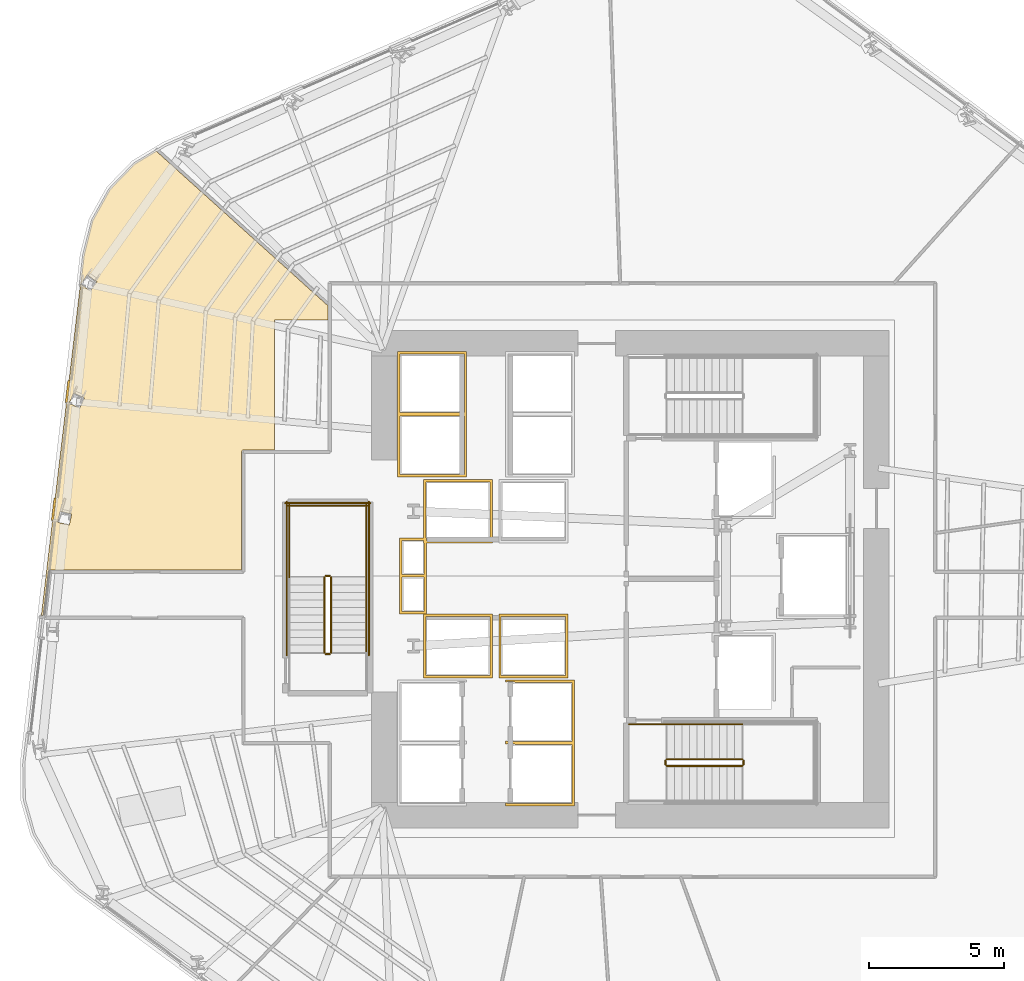
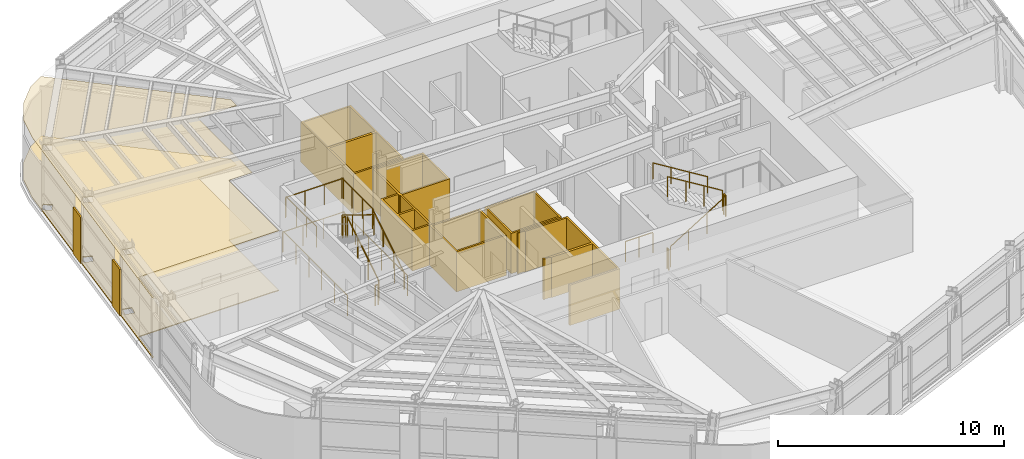
# One storey, part 12 of 16: 17 railings, 9 coverings.
"""IFC4 building model written with IfcOpenShell, lengths in metres."""

from ifc_helpers import new_model, si_unit, direction, frame, origin, origin_2d, place, context, subcontext, project, spatial, polyline, circle, outline, extrude, material, layer, layer_set, type_object, element, save


model = new_model("IFC4")

# Units and contexts
model_context = context("Model", 3, precision=1e-05, world=origin(), true_north=direction((0.0, 1.0)))
body_context = subcontext(model_context, "Body", "Model", "MODEL_VIEW")
ifc_project = project(units=[si_unit("LENGTHUNIT", "METRE"), si_unit("AREAUNIT", "SQUARE_METRE"), si_unit("VOLUMEUNIT", "CUBIC_METRE"), si_unit("PLANEANGLEUNIT", "RADIAN"), si_unit("MASSUNIT", "GRAM", prefix="KILO")], contexts=[model_context])

# Site, building, storey
site_placement = place(None, origin())
site = spatial("IfcSite", under=ifc_project, at=site_placement, CompositionType="ELEMENT")
building_placement = place(site_placement, origin())
building = spatial("IfcBuilding", under=site, at=building_placement, Name="Valkerne Bourse Tower", CompositionType="ELEMENT")
storey_placement = place(building_placement, frame((0.0, 0.0, 123.800048828125)))
storey = spatial("IfcBuildingStorey", under=building, at=storey_placement, Name="L31", CompositionType="ELEMENT", Elevation=123.800048828125)

# Coverings
ifc_material_1 = material(Name="Mineral Fiber Acoustic Ceiling Tile", Category="acoustic")
ifc_layer_1 = layer(ifc_material_1, 0.02490234375)
ifc_layer_set_1 = layer_set([ifc_layer_1], Name="Mineral Fiber Acoustic Ceiling Tile")
covering_type_1 = type_object("IfcCoveringType", Name="COV-CEIL-ACT", PredefinedType="CEILING", material=ifc_layer_set_1)
covering_1_placement = place(storey_placement, frame((0.0, 0.0, 3.22998046875)))
element("IfcCovering", 1, at=covering_1_placement, inside=storey, type_object=covering_type_1, Name="L31 Suspended Ceiling 07", PredefinedType="CEILING", context=body_context, shape_type="SweptSolid", body=[
    extrude(outline(polyline([(27.491943359375, 41.33935546875), (28.410400390625, 42.287109375), (29.205322265625, 42.7626953125), (35.5810546875, 37.022216796875), (35.5810546875, 36.5), (33.60009765625, 36.5), (33.60009765625, 31.6689453125), (32.449462890625, 31.6689453125), (32.419921875, 31.662109375), (32.39404296875, 31.640625), (32.381103515625, 31.6005859375), (32.381103515625, 27.218994140625), (25.2626953125, 27.21728515625), (25.227783203125, 27.196533203125), (25.210693359375, 27.161376953125), (25.01904296875, 25.5361328125), (24.951171875, 25.53125), (26.5263671875, 38.897216796875), (26.85009765625, 40.186279296875), (27.491943359375, 41.33935546875)]), holes=[polyline([(26.078125, 29.295654296875), (26.07861328125, 29.298583984375), (25.656982421875, 29.393798828125), (25.565185546875, 28.98876953125), (25.564697265625, 28.985595703125), (25.986328125, 28.890380859375), (26.078125, 29.295654296875)]), polyline([(26.55029296875, 33.603515625), (26.156982421875, 33.782470703125), (25.984619140625, 33.404541015625), (25.983642578125, 33.401611328125), (26.376953125, 33.22265625), (26.54931640625, 33.600341796875), (26.55029296875, 33.603515625)]), polyline([(27.009521484375, 37.90869140625), (26.65673828125, 38.158203125), (26.41650390625, 37.81982421875), (26.4150390625, 37.81689453125), (26.767578125, 37.567138671875), (27.0078125, 37.90576171875), (27.009521484375, 37.90869140625)])]), origin(), (0.0, 0.0, 1.0), 0.02490234375),
])
ifc_material_2 = material(Name="Bronze Anodised Aluminium AA 6063-T6", Category="aluminium")
ifc_layer_2 = layer(ifc_material_2, 0.06005859375)
ifc_layer_set_2 = layer_set([ifc_layer_2], Name="Bronze Anodised Aluminium AA 6063-T6")
covering_type_2 = type_object("IfcCoveringType", Name="COV-CRN-ALUM", PredefinedType="CLADDING", material=ifc_layer_set_2)
covering_2_placement = place(storey_placement, origin())
element("IfcCovering", 2, at=covering_2_placement, inside=storey, type_object=covering_type_2, Name="L31 Wind-Shaped Corner Aluminium Cladding 11", PredefinedType="CLADDING", context=body_context, shape_type="SweptSolid", body=[
    extrude(outline(polyline([(25.42138671875, 29.896484375), (25.500732421875, 29.88720703125), (25.40234375, 29.052978515625), (25.322998046875, 29.062255859375), (25.42138671875, 29.896484375)])), origin(), (0.0, 0.0, 1.0), 2.5),
])
covering_3_placement = place(storey_placement, origin())
element("IfcCovering", 3, at=covering_3_placement, inside=storey, type_object=covering_type_2, Name="L31 Wind-Shaped Corner Aluminium Cladding 12", PredefinedType="CLADDING", context=body_context, shape_type="SweptSolid", body=[
    extrude(outline(polyline([(25.934326171875, 34.249267578125), (26.013916015625, 34.239990234375), (25.91552734375, 33.406005859375), (25.8359375, 33.4150390625), (25.934326171875, 34.249267578125)])), origin(), (0.0, 0.0, 1.0), 2.5),
])
ifc_material_3 = material(Name="Galvanised Painted Steel", Category="steel")
ifc_layer_3 = layer(ifc_material_3, 0.044921875)
ifc_layer_set_3 = layer_set([ifc_layer_3], Name="Galvanised Painted Steel")
covering_type_3 = type_object("IfcCoveringType", Name="COV-FLR-RAF", PredefinedType="FLOORING", material=ifc_layer_set_3)
covering_4_placement = place(storey_placement, origin())
element("IfcCovering", 4, at=covering_4_placement, inside=storey, type_object=covering_type_3, Name="L31 Floor Finish 07", PredefinedType="FLOORING", context=body_context, shape_type="SweptSolid", body=[
    extrude(outline(polyline([(27.491943359375, 41.33935546875), (28.410400390625, 42.287109375), (29.205322265625, 42.7626953125), (35.5810546875, 37.022216796875), (35.5810546875, 36.5), (33.60009765625, 36.5), (33.60009765625, 31.6689453125), (32.449462890625, 31.6689453125), (32.419921875, 31.662109375), (32.39404296875, 31.640625), (32.381103515625, 31.6005859375), (32.381103515625, 27.218994140625), (25.2626953125, 27.21728515625), (25.227783203125, 27.196533203125), (25.210693359375, 27.161376953125), (25.01904296875, 25.5361328125), (24.951171875, 25.53125), (26.5263671875, 38.897216796875), (26.85009765625, 40.186279296875), (27.491943359375, 41.33935546875)]), holes=[polyline([(26.078125, 29.295654296875), (26.07861328125, 29.298583984375), (25.656982421875, 29.393798828125), (25.565185546875, 28.98876953125), (25.564697265625, 28.985595703125), (25.986328125, 28.890380859375), (26.078125, 29.295654296875)]), polyline([(26.55029296875, 33.603515625), (26.156982421875, 33.782470703125), (25.984619140625, 33.404541015625), (25.983642578125, 33.401611328125), (26.376953125, 33.22265625), (26.54931640625, 33.600341796875), (26.55029296875, 33.603515625)]), polyline([(27.009521484375, 37.90869140625), (26.65673828125, 38.158203125), (26.41650390625, 37.81982421875), (26.4150390625, 37.81689453125), (26.767578125, 37.567138671875), (27.0078125, 37.90576171875), (27.009521484375, 37.90869140625)])]), origin(), (0.0, 0.0, 1.0), 0.044921875),
])
ifc_material_4 = material(Name="Gypsum Shaftwall Liner Board", Category="gypsum")
ifc_layer_4 = layer(ifc_material_4, 0.080078125)
ifc_layer_set_4 = layer_set([ifc_layer_4], Name="Gypsum Shaftwall Liner Board")
covering_type_4 = type_object("IfcCoveringType", Name="COV-SHF-CLAD", PredefinedType="CLADDING", material=ifc_layer_set_4)
covering_5_placement = place(storey_placement, origin())
element("IfcCovering", 5, at=covering_5_placement, inside=storey, type_object=covering_type_4, Name="L31 Hoistway & Riser Shaftwall Liner 02", PredefinedType="CLADDING", context=body_context, shape_type="SweptSolid", body=[
    extrude(outline(polyline([(41.679931640625, 23.219970703125), (39.1201171875, 23.219970703125), (39.1201171875, 25.580078125), (41.679931640625, 25.580078125), (41.679931640625, 23.219970703125)]), holes=[polyline([(39.2099609375, 25.489990234375), (39.2099609375, 23.31005859375), (41.590087890625, 23.31005859375), (41.590087890625, 25.489990234375), (39.2099609375, 25.489990234375)])]), origin(), (0.0, 0.0, 1.0), 2.179931640625),
])
covering_6_placement = place(storey_placement, origin())
element("IfcCovering", 6, at=covering_6_placement, inside=storey, type_object=covering_type_4, Name="L31 Hoistway & Riser Shaftwall Liner 03", PredefinedType="CLADDING", context=body_context, shape_type="SweptSolid", body=[
    extrude(outline(polyline([(44.47998046875, 23.219970703125), (41.919921875, 23.219970703125), (41.919921875, 25.580078125), (44.47998046875, 25.580078125), (44.47998046875, 23.219970703125)]), holes=[polyline([(42.010009765625, 25.489990234375), (42.010009765625, 23.31005859375), (44.389892578125, 23.31005859375), (44.389892578125, 25.489990234375), (42.010009765625, 25.489990234375)])]), origin(), (0.0, 0.0, 1.0), 2.179931640625),
])
covering_7_placement = place(storey_placement, origin())
element("IfcCovering", 7, at=covering_7_placement, inside=storey, type_object=covering_type_4, Name="L31 Hoistway & Riser Shaftwall Liner 04", PredefinedType="CLADDING", context=body_context, shape_type="SweptSolid", body=[
    extrude(outline(polyline([(38.239990234375, 28.409912109375), (39.1201171875, 28.409912109375), (39.1201171875, 30.580078125), (41.679931640625, 30.580078125), (41.679931640625, 28.219970703125), (39.239990234375, 28.219970703125), (39.239990234375, 27.0400390625), (39.239990234375, 26.9599609375), (39.239990234375, 25.590087890625), (38.239990234375, 25.590087890625), (38.239990234375, 26.9599609375), (38.239990234375, 27.0400390625), (38.239990234375, 28.409912109375)]), holes=[polyline([(39.2099609375, 30.489990234375), (39.2099609375, 28.409912109375), (39.239990234375, 28.409912109375), (39.239990234375, 28.31005859375), (41.590087890625, 28.31005859375), (41.590087890625, 30.489990234375), (39.2099609375, 30.489990234375)]), polyline([(38.330078125, 26.949951171875), (38.330078125, 25.679931640625), (39.14990234375, 25.679931640625), (39.14990234375, 26.949951171875), (38.330078125, 26.949951171875)]), polyline([(39.1201171875, 28.219970703125), (39.1201171875, 28.320068359375), (38.330078125, 28.320068359375), (38.330078125, 27.050048828125), (39.14990234375, 27.050048828125), (39.14990234375, 28.219970703125), (39.1201171875, 28.219970703125)])]), origin(), (0.0, 0.0, 1.0), 2.179931640625),
])
covering_8_placement = place(storey_placement, origin())
element("IfcCovering", 8, at=covering_8_placement, inside=storey, type_object=covering_type_4, Name="L31 Hoistway & Riser Shaftwall Liner 05", PredefinedType="CLADDING", context=body_context, shape_type="SweptSolid", body=[
    extrude(outline(polyline([(38.169921875, 35.330078125), (40.72998046875, 35.330078125), (40.72998046875, 33.030029296875), (40.72998046875, 32.969970703125), (40.72998046875, 30.669921875), (38.169921875, 30.669921875), (38.169921875, 32.969970703125), (38.169921875, 33.030029296875), (38.169921875, 35.330078125)]), holes=[polyline([(38.260009765625, 32.93994140625), (38.260009765625, 30.760009765625), (40.639892578125, 30.760009765625), (40.639892578125, 32.93994140625), (38.260009765625, 32.93994140625)]), polyline([(38.260009765625, 35.239990234375), (38.260009765625, 33.06005859375), (40.639892578125, 33.06005859375), (40.639892578125, 35.239990234375), (38.260009765625, 35.239990234375)])]), origin(), (0.0, 0.0, 1.0), 2.179931640625),
])
covering_9_placement = place(storey_placement, origin())
element("IfcCovering", 9, at=covering_9_placement, inside=storey, type_object=covering_type_4, Name="L31 Hoistway & Riser Shaftwall Liner 06", PredefinedType="CLADDING", context=body_context, shape_type="SweptSolid", body=[
    extrude(outline(polyline([(42.169921875, 20.830078125), (42.169921875, 20.887939453125), (42.177734375, 20.88427734375), (42.219482421875, 20.869384765625), (42.26220703125, 20.858642578125), (42.305908203125, 20.852294921875), (42.35009765625, 20.85009765625), (42.39404296875, 20.852294921875), (42.437744140625, 20.858642578125), (42.443115234375, 20.860107421875), (44.639892578125, 20.860107421875), (44.639892578125, 23.0400390625), (42.555419921875, 23.0400390625), (42.522216796875, 23.0556640625), (42.480712890625, 23.070556640625), (42.437744140625, 23.081298828125), (42.39404296875, 23.087890625), (42.35009765625, 23.090087890625), (42.305908203125, 23.087890625), (42.26220703125, 23.081298828125), (42.219482421875, 23.070556640625), (42.177734375, 23.0556640625), (42.169921875, 23.052001953125), (42.169921875, 23.1298828125), (44.72998046875, 23.1298828125), (44.72998046875, 20.830078125), (44.72998046875, 20.77001953125), (44.72998046875, 18.469970703125), (42.169921875, 18.469970703125), (42.169921875, 18.587890625), (42.177734375, 18.584228515625), (42.219482421875, 18.5693359375), (42.26220703125, 18.55859375), (42.305908203125, 18.55224609375), (42.35009765625, 18.550048828125), (42.39404296875, 18.55224609375), (42.437744140625, 18.55859375), (42.443115234375, 18.56005859375), (44.639892578125, 18.56005859375), (44.639892578125, 20.739990234375), (42.555419921875, 20.739990234375), (42.522216796875, 20.755615234375), (42.480712890625, 20.7705078125), (42.437744140625, 20.781494140625), (42.39404296875, 20.787841796875), (42.35009765625, 20.7900390625), (42.305908203125, 20.787841796875), (42.26220703125, 20.781494140625), (42.219482421875, 20.7705078125), (42.177734375, 20.755615234375), (42.169921875, 20.752197265625), (42.169921875, 20.77001953125), (42.169921875, 20.830078125)])), origin(), (0.0, 0.0, 1.0), 2.179931640625),
])

# Railings
railing_type_1 = type_object("IfcRailingType", Name="RLG-ST-GUARD-1120", PredefinedType="GUARDRAIL", material=ifc_material_3)
railing_1_placement = place(storey_placement, frame((48.14990234375, 19.949951171875, 0.172607421875)))
element("IfcRailing", 10, at=railing_1_placement, inside=storey, type_object=railing_type_1, Name="L31 ST-1 stair guard 1", PredefinedType="GUARDRAIL", context=body_context, shape_type="SweptSolid", body=[
    extrude(circle(Radius=0.02392578125, at=origin_2d()), frame((0.0, 0.0, 1.09619140625), z_axis=(0.851089632645, 0.0, 0.525020415988), x_axis=(0.0, 1.0, 0.0)), (0.0, 0.0, 1.0), 3.2900390625),
    extrude(circle(Radius=0.02099609375, at=origin_2d()), origin(), (0.0, 0.0, 1.0), 1.072021484375),
    extrude(circle(Radius=0.02099609375, at=origin_2d()), frame((0.933349609375, 0.0, 0.57568359375)), (0.0, 0.0, 1.0), 1.072021484375),
    extrude(circle(Radius=0.02099609375, at=origin_2d()), frame((1.86669921875, 0.0, 1.151611328125)), (0.0, 0.0, 1.0), 1.072021484375),
    extrude(circle(Radius=0.02099609375, at=origin_2d()), frame((2.800048828125, 0.0, 1.727294921875)), (0.0, 0.0, 1.0), 1.072021484375),
])
railing_2_placement = place(storey_placement, frame((51.0, 20.0, 1.89990234375)))
element("IfcRailing", 11, at=railing_2_placement, inside=storey, type_object=railing_type_1, Name="L31 ST-1 stair guard 2", PredefinedType="GUARDRAIL", context=body_context, shape_type="SweptSolid", body=[
    extrude(circle(Radius=0.02392578125, at=origin_2d()), frame((0.0, 0.0, 1.09619140625), z_axis=(0.0, 1.0, 0.0), x_axis=(-1.0, 0.0, 0.0)), (0.0, 0.0, 1.0), 0.14990234375),
    extrude(circle(Radius=0.02099609375, at=origin_2d()), origin(), (0.0, 0.0, 1.0), 1.072021484375),
    extrude(circle(Radius=0.02099609375, at=origin_2d()), frame((0.0, 0.14990234375, 0.0)), (0.0, 0.0, 1.0), 1.072021484375),
])
railing_3_placement = place(storey_placement, frame((50.949951171875, 20.199951171875, 2.07275390625)))
element("IfcRailing", 12, at=railing_3_placement, inside=storey, type_object=railing_type_1, Name="L31 ST-1 stair guard 6", PredefinedType="GUARDRAIL", context=body_context, shape_type="SweptSolid", body=[
    extrude(circle(Radius=0.02392578125, at=origin_2d()), frame((0.0, 0.0, 1.09619140625), z_axis=(-0.851089632645, 0.0, 0.525020415988), x_axis=(0.0, -1.0, 0.0)), (0.0, 0.0, 1.0), 3.2900390625),
    extrude(circle(Radius=0.02099609375, at=origin_2d()), origin(), (0.0, 0.0, 1.0), 1.072021484375),
    extrude(circle(Radius=0.02099609375, at=origin_2d()), frame((-0.933349609375, 0.0, 0.57568359375)), (0.0, 0.0, 1.0), 1.072021484375),
    extrude(circle(Radius=0.02099609375, at=origin_2d()), frame((-1.86669921875, 0.0, 1.151611328125)), (0.0, 0.0, 1.0), 1.072021484375),
    extrude(circle(Radius=0.02099609375, at=origin_2d()), frame((-2.800048828125, 0.0, 1.727294921875)), (0.0, 0.0, 1.0), 1.072021484375),
])
railing_4_placement = place(storey_placement, frame((48.10009765625, 20.0, 0.0)))
element("IfcRailing", 13, at=railing_4_placement, inside=storey, type_object=railing_type_1, Name="L31 ST-1 stair guard 7", PredefinedType="GUARDRAIL", context=body_context, shape_type="SweptSolid", body=[
    extrude(circle(Radius=0.02392578125, at=origin_2d()), frame((0.0, 0.0, 1.09619140625), z_axis=(0.0, 1.0, 0.0), x_axis=(-1.0, 0.0, 0.0)), (0.0, 0.0, 1.0), 0.14990234375),
    extrude(circle(Radius=0.02099609375, at=origin_2d()), origin(), (0.0, 0.0, 1.0), 1.072021484375),
    extrude(circle(Radius=0.02099609375, at=origin_2d()), frame((0.0, 0.14990234375, 0.0)), (0.0, 0.0, 1.0), 1.072021484375),
])
railing_5_placement = place(storey_placement, frame((46.75, 21.5, 0.0)))
element("IfcRailing", 14, at=railing_5_placement, inside=storey, type_object=railing_type_1, Name="L31 ST-1 stair guard 9", PredefinedType="GUARDRAIL", context=body_context, shape_type="SweptSolid", body=[
    extrude(circle(Radius=0.02392578125, at=origin_2d()), frame((0.0, 0.0, 1.09619140625), z_axis=(1.0, 0.0, 0.0), x_axis=(0.0, 1.0, 0.0)), (0.0, 0.0, 1.0), 1.39990234375),
    extrude(circle(Radius=0.02099609375, at=origin_2d()), origin(), (0.0, 0.0, 1.0), 1.072021484375),
    extrude(circle(Radius=0.02099609375, at=origin_2d()), frame((0.699951171875, 0.0, 0.0)), (0.0, 0.0, 1.0), 1.072021484375),
    extrude(circle(Radius=0.02099609375, at=origin_2d()), frame((1.39990234375, 0.0, 0.0)), (0.0, 0.0, 1.0), 1.072021484375),
])
railing_6_placement = place(storey_placement, frame((35.699951171875, 24.14990234375, 0.172607421875)))
element("IfcRailing", 15, at=railing_6_placement, inside=storey, type_object=railing_type_1, Name="L31 ST-3 stair guard 1", PredefinedType="GUARDRAIL", context=body_context, shape_type="SweptSolid", body=[
    extrude(circle(Radius=0.02392578125, at=origin_2d()), frame((0.0, 0.0, 1.09619140625), z_axis=(0.0, 0.851089632645, 0.525020415988), x_axis=(-1.0, 0.0, 0.0)), (0.0, 0.0, 1.0), 3.2900390625),
    extrude(circle(Radius=0.02099609375, at=origin_2d()), origin(), (0.0, 0.0, 1.0), 1.072021484375),
    extrude(circle(Radius=0.02099609375, at=origin_2d()), frame((0.0, 0.933349609375, 0.57568359375)), (0.0, 0.0, 1.0), 1.072021484375),
    extrude(circle(Radius=0.02099609375, at=origin_2d()), frame((0.0, 1.86669921875, 1.151611328125)), (0.0, 0.0, 1.0), 1.072021484375),
    extrude(circle(Radius=0.02099609375, at=origin_2d()), frame((0.0, 2.800048828125, 1.727294921875)), (0.0, 0.0, 1.0), 1.072021484375),
])
railing_7_placement = place(storey_placement, frame((35.64990234375, 27.0, 1.89990234375)))
element("IfcRailing", 16, at=railing_7_placement, inside=storey, type_object=railing_type_1, Name="L31 ST-3 stair guard 2", PredefinedType="GUARDRAIL", context=body_context, shape_type="SweptSolid", body=[
    extrude(circle(Radius=0.02392578125, at=origin_2d()), frame((0.0, 0.0, 1.09619140625), z_axis=(-1.0, 0.0, 0.0), x_axis=(0.0, -1.0, 0.0)), (0.0, 0.0, 1.0), 0.14990234375),
    extrude(circle(Radius=0.02099609375, at=origin_2d()), origin(), (0.0, 0.0, 1.0), 1.072021484375),
    extrude(circle(Radius=0.02099609375, at=origin_2d()), frame((-0.14990234375, 0.0, 0.0)), (0.0, 0.0, 1.0), 1.072021484375),
])
for number, where, name in (
    (17, (37.0, 26.949951171875, 1.89990234375), "L31 ST-3 stair guard 3"),
    (18, (34.14990234375, 26.949951171875, 1.89990234375), "L31 ST-3 stair guard 4"),
):
    element("IfcRailing", number, at=place(storey_placement, frame(where)), inside=storey, type_object=railing_type_1, Name=name, PredefinedType="GUARDRAIL", context=body_context, shape_type="SweptSolid", body=[
        extrude(circle(Radius=0.02392578125, at=origin_2d()), frame((0.0, 0.0, 1.09619140625), z_axis=(0.0, 1.0, 0.0), x_axis=(-1.0, 0.0, 0.0)), (0.0, 0.0, 1.0), 2.699951171875),
        extrude(circle(Radius=0.02099609375, at=origin_2d()), origin(), (0.0, 0.0, 1.0), 1.072021484375),
        extrude(circle(Radius=0.02099609375, at=origin_2d()), frame((0.0, 0.89990234375, 0.0)), (0.0, 0.0, 1.0), 1.072021484375),
        extrude(circle(Radius=0.02099609375, at=origin_2d()), frame((0.0, 1.800048828125, 0.0)), (0.0, 0.0, 1.0), 1.072021484375),
        extrude(circle(Radius=0.02099609375, at=origin_2d()), frame((0.0, 2.699951171875, 0.0)), (0.0, 0.0, 1.0), 1.072021484375),
    ])
railing_8_placement = place(storey_placement, frame((37.050048828125, 29.60009765625, 1.89990234375)))
element("IfcRailing", 19, at=railing_8_placement, inside=storey, type_object=railing_type_1, Name="L31 ST-3 stair guard 5", PredefinedType="GUARDRAIL", context=body_context, shape_type="SweptSolid", body=[
    extrude(circle(Radius=0.02392578125, at=origin_2d()), frame((0.0, 0.0, 1.09619140625), z_axis=(-1.0, 0.0, 0.0), x_axis=(0.0, -1.0, 0.0)), (0.0, 0.0, 1.0), 2.949951171875),
    extrude(circle(Radius=0.02099609375, at=origin_2d()), origin(), (0.0, 0.0, 1.0), 1.072021484375),
    extrude(circle(Radius=0.02099609375, at=origin_2d()), frame((-0.9833984375, 0.0, 0.0)), (0.0, 0.0, 1.0), 1.072021484375),
    extrude(circle(Radius=0.02099609375, at=origin_2d()), frame((-1.966552734375, 0.0, 0.0)), (0.0, 0.0, 1.0), 1.072021484375),
    extrude(circle(Radius=0.02099609375, at=origin_2d()), frame((-2.949951171875, 0.0, 0.0)), (0.0, 0.0, 1.0), 1.072021484375),
])
railing_9_placement = place(storey_placement, frame((35.449951171875, 26.949951171875, 2.07275390625)))
element("IfcRailing", 20, at=railing_9_placement, inside=storey, type_object=railing_type_1, Name="L31 ST-3 stair guard 6", PredefinedType="GUARDRAIL", context=body_context, shape_type="SweptSolid", body=[
    extrude(circle(Radius=0.02392578125, at=origin_2d()), frame((0.0, 0.0, 1.09619140625), z_axis=(0.0, -0.851089632645, 0.525020415988), x_axis=(1.0, 0.0, 0.0)), (0.0, 0.0, 1.0), 3.2900390625),
    extrude(circle(Radius=0.02099609375, at=origin_2d()), origin(), (0.0, 0.0, 1.0), 1.072021484375),
    extrude(circle(Radius=0.02099609375, at=origin_2d()), frame((0.0, -0.933349609375, 0.57568359375)), (0.0, 0.0, 1.0), 1.072021484375),
    extrude(circle(Radius=0.02099609375, at=origin_2d()), frame((0.0, -1.86669921875, 1.151611328125)), (0.0, 0.0, 1.0), 1.072021484375),
    extrude(circle(Radius=0.02099609375, at=origin_2d()), frame((0.0, -2.800048828125, 1.727294921875)), (0.0, 0.0, 1.0), 1.072021484375),
])
railing_10_placement = place(storey_placement, frame((35.64990234375, 24.10009765625, 0.0)))
element("IfcRailing", 21, at=railing_10_placement, inside=storey, type_object=railing_type_1, Name="L31 ST-3 stair guard 7", PredefinedType="GUARDRAIL", context=body_context, shape_type="SweptSolid", body=[
    extrude(circle(Radius=0.02392578125, at=origin_2d()), frame((0.0, 0.0, 1.09619140625), z_axis=(-1.0, 0.0, 0.0), x_axis=(0.0, -1.0, 0.0)), (0.0, 0.0, 1.0), 0.14990234375),
    extrude(circle(Radius=0.02099609375, at=origin_2d()), origin(), (0.0, 0.0, 1.0), 1.072021484375),
    extrude(circle(Radius=0.02099609375, at=origin_2d()), frame((-0.14990234375, 0.0, 0.0)), (0.0, 0.0, 1.0), 1.072021484375),
])
for number, where, name in (
    (22, (37.10009765625, 24.050048828125, 0.0), "L31 ST-3 stair guard 10"),
    (23, (34.050048828125, 24.050048828125, 0.0), "L31 ST-3 stair guard 11"),
):
    element("IfcRailing", number, at=place(storey_placement, frame(where)), inside=storey, type_object=railing_type_1, Name=name, PredefinedType="GUARDRAIL", context=body_context, shape_type="SweptSolid", body=[
        extrude(circle(Radius=0.02392578125, at=origin_2d()), frame((0.0, 0.0, 1.09619140625), z_axis=(0.0, 1.0, 0.0), x_axis=(-1.0, 0.0, 0.0)), (0.0, 0.0, 1.0), 5.699951171875),
        extrude(circle(Radius=0.02099609375, at=origin_2d()), origin(), (0.0, 0.0, 1.0), 1.072021484375),
        extrude(circle(Radius=0.02099609375, at=origin_2d()), frame((0.0, 1.139892578125, 0.0)), (0.0, 0.0, 1.0), 1.072021484375),
        extrude(circle(Radius=0.02099609375, at=origin_2d()), frame((0.0, 2.280029296875, 0.0)), (0.0, 0.0, 1.0), 1.072021484375),
        extrude(circle(Radius=0.02099609375, at=origin_2d()), frame((0.0, 3.419921875, 0.0)), (0.0, 0.0, 1.0), 1.072021484375),
        extrude(circle(Radius=0.02099609375, at=origin_2d()), frame((0.0, 4.56005859375, 0.0)), (0.0, 0.0, 1.0), 1.072021484375),
        extrude(circle(Radius=0.02099609375, at=origin_2d()), frame((0.0, 5.699951171875, 0.0)), (0.0, 0.0, 1.0), 1.072021484375),
    ])
railing_11_placement = place(storey_placement, frame((37.14990234375, 29.699951171875, 0.0)))
element("IfcRailing", 24, at=railing_11_placement, inside=storey, type_object=railing_type_1, Name="L31 ST-3 stair guard 12", PredefinedType="GUARDRAIL", context=body_context, shape_type="SweptSolid", body=[
    extrude(circle(Radius=0.02392578125, at=origin_2d()), frame((0.0, 0.0, 1.09619140625), z_axis=(-1.0, 0.0, 0.0), x_axis=(0.0, -1.0, 0.0)), (0.0, 0.0, 1.0), 3.14990234375),
    extrude(circle(Radius=0.02099609375, at=origin_2d()), origin(), (0.0, 0.0, 1.0), 1.072021484375),
    extrude(circle(Radius=0.02099609375, at=origin_2d()), frame((-1.050048828125, 0.0, 0.0)), (0.0, 0.0, 1.0), 1.072021484375),
    extrude(circle(Radius=0.02099609375, at=origin_2d()), frame((-2.099853515625, 0.0, 0.0)), (0.0, 0.0, 1.0), 1.072021484375),
    extrude(circle(Radius=0.02099609375, at=origin_2d()), frame((-3.14990234375, 0.0, 0.0)), (0.0, 0.0, 1.0), 1.072021484375),
])
ifc_material_5 = material(Name="Stainless Steel AISI 316", Category="steel")
railing_type_2 = type_object("IfcRailingType", Name="RLG-ST-HANDRAIL-900", PredefinedType="HANDRAIL", material=ifc_material_5)
railing_12_placement = place(storey_placement, frame((50.949951171875, 21.5, 2.245361328125)))
element("IfcRailing", 25, at=railing_12_placement, inside=storey, type_object=railing_type_2, Name="L31 ST-1 stair handrail 2", PredefinedType="HANDRAIL", context=body_context, shape_type="SweptSolid", body=[
    extrude(circle(Radius=0.02392578125, at=origin_2d()), frame((0.0, 0.0, 0.8759765625), z_axis=(-0.851089632645, 0.0, 0.525020415988), x_axis=(0.0, -1.0, 0.0)), (0.0, 0.0, 1.0), 3.2900390625),
    extrude(circle(Radius=0.02099609375, at=origin_2d()), origin(), (0.0, 0.0, 1.0), 0.851806640625),
    extrude(circle(Radius=0.02099609375, at=origin_2d()), frame((-0.933349609375, 0.0, 0.57568359375)), (0.0, 0.0, 1.0), 0.851806640625),
    extrude(circle(Radius=0.02099609375, at=origin_2d()), frame((-1.86669921875, 0.0, 1.151611328125)), (0.0, 0.0, 1.0), 0.851806640625),
    extrude(circle(Radius=0.02099609375, at=origin_2d()), frame((-2.800048828125, 0.0, 1.727294921875)), (0.0, 0.0, 1.0), 0.851806640625),
])
railing_13_placement = place(storey_placement, frame((37.0, 24.14990234375, 0.345458984375)))
element("IfcRailing", 26, at=railing_13_placement, inside=storey, type_object=railing_type_2, Name="L31 ST-3 stair handrail 1", PredefinedType="HANDRAIL", context=body_context, shape_type="SweptSolid", body=[
    extrude(circle(Radius=0.02392578125, at=origin_2d()), frame((0.0, 0.0, 0.8759765625), z_axis=(0.0, 0.851089632645, 0.525020415988), x_axis=(-1.0, 0.0, 0.0)), (0.0, 0.0, 1.0), 3.2900390625),
    extrude(circle(Radius=0.02099609375, at=origin_2d()), origin(), (0.0, 0.0, 1.0), 0.851806640625),
    extrude(circle(Radius=0.02099609375, at=origin_2d()), frame((0.0, 0.933349609375, 0.57568359375)), (0.0, 0.0, 1.0), 0.851806640625),
    extrude(circle(Radius=0.02099609375, at=origin_2d()), frame((0.0, 1.86669921875, 1.151611328125)), (0.0, 0.0, 1.0), 0.851806640625),
    extrude(circle(Radius=0.02099609375, at=origin_2d()), frame((0.0, 2.800048828125, 1.727294921875)), (0.0, 0.0, 1.0), 0.851806640625),
])

save(model, "model.ifc")
